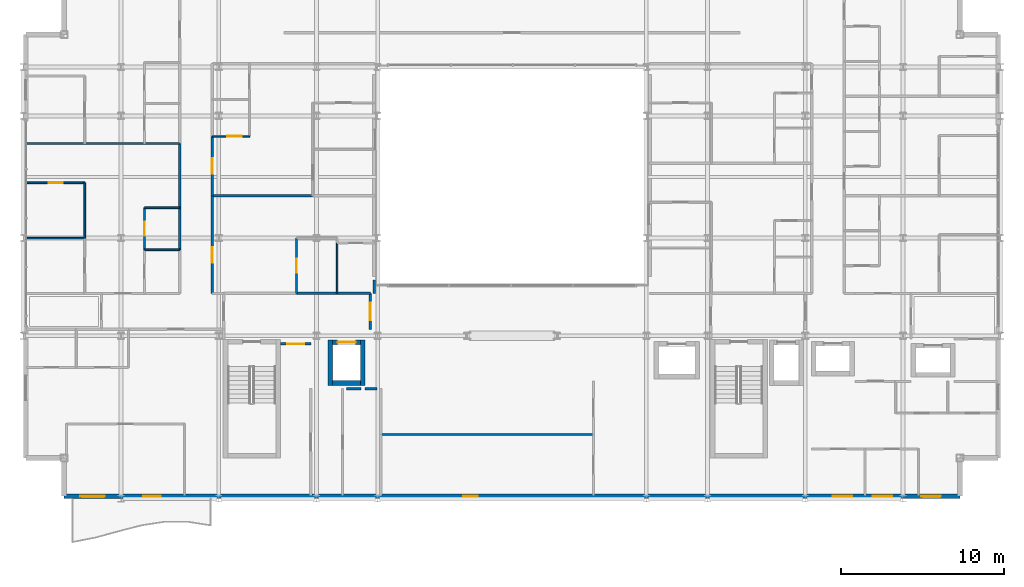
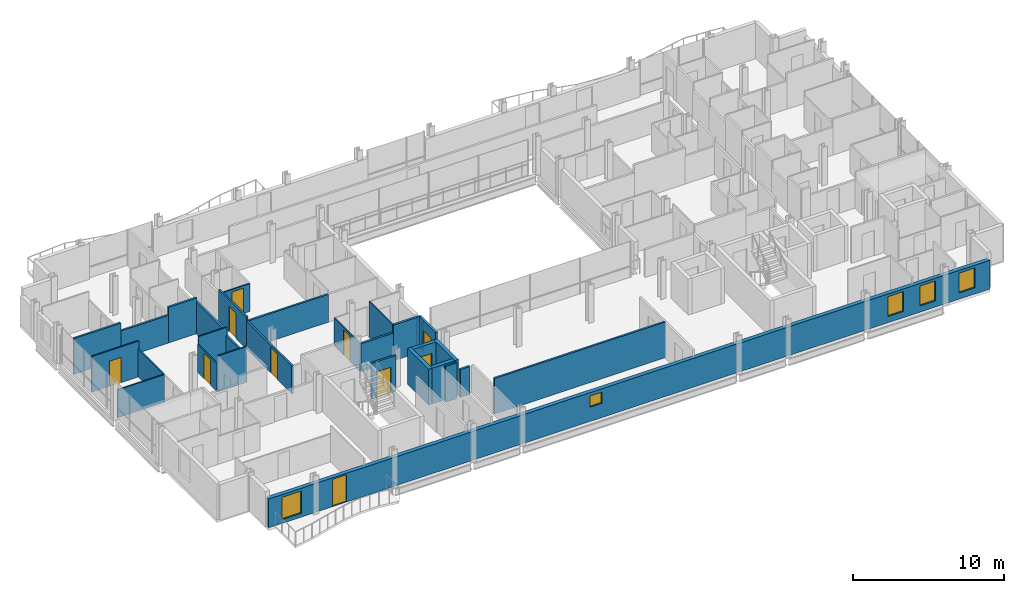
# One storey, part 32 of 40: 30 walls, 10 doors, 5 windows, 15 openings.
"""IFC4 building model written with IfcOpenShell, lengths in metres."""

from ifc_helpers import new_model, si_unit, direction, frame, frame_2d, origin, place, context, subcontext, project, spatial, rectangle, extrude, material, layer, layer_set, type_object, element, fill, save


model = new_model("IFC4")

# Units and contexts
model_context = context("Model", 3, precision=1e-05, world=origin(), true_north=direction((0.0, 1.0)))
body_context = subcontext(model_context, "Body", "Model", "MODEL_VIEW")
ifc_project = project(units=[si_unit("LENGTHUNIT", "METRE"), si_unit("AREAUNIT", "SQUARE_METRE"), si_unit("VOLUMEUNIT", "CUBIC_METRE"), si_unit("PLANEANGLEUNIT", "RADIAN"), si_unit("MASSUNIT", "GRAM", prefix="KILO")], contexts=[model_context])

# Site, building, storey
site_placement = place(None, origin())
site = spatial("IfcSite", under=ifc_project, at=site_placement, CompositionType="ELEMENT")
building_placement = place(site_placement, origin())
building = spatial("IfcBuilding", under=site, at=building_placement, Name="Brevholm Reach", CompositionType="ELEMENT")
storey_placement = place(building_placement, frame((0.0, 0.0, 125.199951171875)))
storey = spatial("IfcBuildingStorey", under=building, at=storey_placement, Name="L37", CompositionType="ELEMENT", Elevation=125.199951171875)

# Walls
ifc_material_1 = material(Name="Concrete C50/60", Category="concrete")
ifc_layer_1 = layer(ifc_material_1, 0.280029296875)
ifc_layer_set_1 = layer_set([ifc_layer_1], Name="Concrete C50/60")
wall_type_1 = type_object("IfcWallType", Name="WAL-COR-280", PredefinedType="SHEAR", material=ifc_layer_set_1)
for number, where, z_axis, x_axis, name in (
    (1, (18.85009765625, 6.9599609375, 0.0), (0.0, 0.0, 1.0), (0.0, 1.0, 0.0), "L37 Lift FFL-1 Shaft Wall W"),
    (2, (20.85009765625, 6.9599609375, 0.0), (0.0, 0.0, 1.0), (0.0, 1.0, 0.0), "L37 Lift FFL-1 Shaft Wall E"),
):
    element("IfcWall", number, at=place(storey_placement, frame(where, z_axis=z_axis, x_axis=x_axis)), inside=storey, type_object=wall_type_1, Name=name, PredefinedType="SHEAR", context=body_context, shape_type="SweptSolid", body=[
        extrude(rectangle(XDim=2.780029296875, YDim=0.280029296875, at=frame_2d((1.39013671875, 0.0))), origin(), (0.0, 0.0, 1.0), 2.880126953125),
    ])
wall_1_placement = place(storey_placement, frame((18.989990234375, 7.10009765625, 0.0), z_axis=(0.0, 0.0, 1.0), x_axis=(1.0, 0.0, 0.0)))
element("IfcWall", 3, at=wall_1_placement, inside=storey, type_object=wall_type_1, Name="L37 Lift FFL-1 Shaft Wall S", PredefinedType="SHEAR", context=body_context, shape_type="SweptSolid", body=[
    extrude(rectangle(XDim=1.719970703125, YDim=0.280029296875, at=frame_2d((0.85986328125, 0.0))), origin(), (0.0, 0.0, 1.0), 2.880126953125),
])

# Wall, opening, door
wall_2_placement = place(storey_placement, frame((18.989990234375, 9.60009765625, 0.0), z_axis=(0.0, 0.0, 1.0), x_axis=(1.0, 0.0, 0.0)))
wall_2 = element("IfcWall", 4, at=wall_2_placement, inside=storey, type_object=wall_type_1, Name="L37 Lift FFL-1 Shaft Wall N", PredefinedType="SHEAR", context=body_context, shape_type="SweptSolid", body=[
    extrude(rectangle(XDim=1.719970703125, YDim=0.280029296875, at=frame_2d((0.85986328125, 0.0))), origin(), (0.0, 0.0, 1.0), 2.880126953125),
])
opening_1_placement = place(wall_2_placement, frame((0.31005859375, 0.0, 0.0)))
opening_1 = element("IfcOpeningElement", 5, at=opening_1_placement, cuts=wall_2, Name="Opening LD-FFL-1", PredefinedType="OPENING", context=body_context, shape_type="SweptSolid", body=[
    extrude(rectangle(XDim=1.10009765625, YDim=2.06005859375, at=frame_2d((0.550048828125, 1.030029296875))), frame((0.0, 0.14990234375, 0.0), z_axis=(0.0, -1.0, 0.0), x_axis=(1.0, 0.0, 0.0)), (0.0, 0.0, 1.0), 0.300048828125),
])
ifc_material_2 = material(Name="Brushed Stainless Steel Fire-Rated Sliding Lift Door", Category="steel")
door_type_1 = type_object("IfcDoorType", Name="DOR-LFT-1100", OperationType="NOTDEFINED", PredefinedType="DOOR", material=ifc_material_2)
door_1_placement = place(opening_1_placement, origin())
door_1 = element("IfcDoor", 6, at=door_1_placement, inside=storey, type_object=door_type_1, Name="L37 Lift FFL-1 Sliding Landing Door", OperationType="SLIDING_TO_LEFT", OverallHeight=2.06005859375, OverallWidth=1.10009765625, PredefinedType="DOOR", context=body_context, shape_type="SweptSolid", body=[
    extrude(rectangle(XDim=1.10009765625, YDim=2.06005859375, at=frame_2d((0.550048828125, 1.030029296875))), frame((0.0, 0.02490234375, 0.0), z_axis=(0.0, -1.0, 0.0), x_axis=(1.0, 0.0, 0.0)), (0.0, 0.0, 1.0), 0.050048828125),
])
fill(opening_1, door_1)

# Wall, openings, door, windows
ifc_material_3 = material(Name="Concrete C40/50", Category="concrete")
ifc_layer_2 = layer(ifc_material_3, 0.300048828125)
ifc_layer_set_2 = layer_set([ifc_layer_2], Name="Concrete C40/50")
wall_type_2 = type_object("IfcWallType", Name="WAL-EXT-300", PredefinedType="STANDARD", material=ifc_layer_set_2)
wall_3_placement = place(storey_placement, frame((2.5, 0.14990234375, 0.0), z_axis=(0.0, 0.0, 1.0), x_axis=(1.0, 0.0, 0.0)))
wall_3 = element("IfcWall", 7, at=wall_3_placement, inside=storey, type_object=wall_type_2, Name="L37 Facade Wall WAL-L37-S", PredefinedType="STANDARD", context=body_context, shape_type="SweptSolid", body=[
    extrude(rectangle(XDim=55.0, YDim=0.300048828125, at=frame_2d((27.5, 0.0))), origin(), (0.0, 0.0, 1.0), 2.322021484375),
])
opening_2_placement = place(wall_3_placement, frame((4.85009765625, 0.0, 0.0)))
opening_2 = element("IfcOpeningElement", 8, at=opening_2_placement, cuts=wall_3, Name="Opening BD-01", PredefinedType="OPENING", context=body_context, shape_type="SweptSolid", body=[
    extrude(rectangle(XDim=1.10009765625, YDim=2.199951171875, at=frame_2d((0.550048828125, 1.10009765625))), frame((0.0, 0.159912109375, 0.0), z_axis=(0.0, -1.0, 0.0), x_axis=(1.0, 0.0, 0.0)), (0.0, 0.0, 1.0), 0.320068359375),
])
opening_3_placement = place(wall_3_placement, frame((1.0, 0.0, 0.302001953125)))
opening_3 = element("IfcOpeningElement", 9, at=opening_3_placement, cuts=wall_3, Name="Opening WN-05", PredefinedType="OPENING", context=body_context, shape_type="SweptSolid", body=[
    extrude(rectangle(XDim=1.5, YDim=1.800048828125, at=frame_2d((0.75, 0.89990234375))), frame((0.0, 0.159912109375, 0.0), z_axis=(0.0, -1.0, 0.0), x_axis=(1.0, 0.0, 0.0)), (0.0, 0.0, 1.0), 0.320068359375),
])
opening_4_placement = place(wall_3_placement, frame((24.5, 0.0, 1.14990234375)))
opening_4 = element("IfcOpeningElement", 10, at=opening_4_placement, cuts=wall_3, Name="Opening WN-09", PredefinedType="OPENING", context=body_context, shape_type="SweptSolid", body=[
    extrude(rectangle(XDim=0.89990234375, YDim=0.89990234375, at=frame_2d((0.449951171875, 0.449951171875))), frame((0.0, 0.159912109375, 0.0), z_axis=(0.0, -1.0, 0.0), x_axis=(1.0, 0.0, 0.0)), (0.0, 0.0, 1.0), 0.320068359375),
])
opening_5_placement = place(wall_3_placement, frame((47.199951171875, 0.0, 0.501953125)))
opening_5 = element("IfcOpeningElement", 11, at=opening_5_placement, cuts=wall_3, Name="Opening WN-08", PredefinedType="OPENING", context=body_context, shape_type="SweptSolid", body=[
    extrude(rectangle(XDim=1.199951171875, YDim=1.60009765625, at=frame_2d((0.60009765625, 0.800048828125))), frame((0.0, 0.159912109375, 0.0), z_axis=(0.0, -1.0, 0.0), x_axis=(1.0, 0.0, 0.0)), (0.0, 0.0, 1.0), 0.320068359375),
])
opening_6_placement = place(wall_3_placement, frame((52.6298828125, 0.0, 0.501953125)))
opening_6 = element("IfcOpeningElement", 12, at=opening_6_placement, cuts=wall_3, Name="Opening WN-08", PredefinedType="OPENING", context=body_context, shape_type="SweptSolid", body=[
    extrude(rectangle(XDim=1.199951171875, YDim=1.60009765625, at=frame_2d((0.60009765625, 0.800048828125))), frame((0.0, 0.159912109375, 0.0), z_axis=(0.0, -1.0, 0.0), x_axis=(1.0, 0.0, 0.0)), (0.0, 0.0, 1.0), 0.320068359375),
])
opening_7_placement = place(wall_3_placement, frame((49.643310546875, 0.0, 0.501953125)))
opening_7 = element("IfcOpeningElement", 13, at=opening_7_placement, cuts=wall_3, Name="Opening WN-08", PredefinedType="OPENING", context=body_context, shape_type="SweptSolid", body=[
    extrude(rectangle(XDim=1.199951171875, YDim=1.60009765625, at=frame_2d((0.60009765625, 0.800048828125))), frame((0.0, 0.159912109375, 0.0), z_axis=(0.0, -1.0, 0.0), x_axis=(1.0, 0.0, 0.0)), (0.0, 0.0, 1.0), 0.320068359375),
])
ifc_material_4 = material(Name="Dark Anodised Aluminium and Triple-Glazed Glass", Category="aluminium")
door_type_2 = type_object("IfcDoorType", Name="DOR-BALC-1100", OperationType="NOTDEFINED", PredefinedType="DOOR", material=ifc_material_4)
door_2_placement = place(opening_2_placement, origin())
door_2 = element("IfcDoor", 14, at=door_2_placement, inside=storey, type_object=door_type_2, Name="L37 Exterior Door DOR-L37-BL-SW", OperationType="SINGLE_SWING_LEFT", OverallHeight=2.199951171875, OverallWidth=1.10009765625, PredefinedType="DOOR", context=body_context, shape_type="SweptSolid", body=[
    extrude(rectangle(XDim=1.10009765625, YDim=2.199951171875, at=frame_2d((0.550048828125, 1.10009765625))), frame((0.0, 0.02490234375, 0.0), z_axis=(0.0, -1.0, 0.0), x_axis=(1.0, 0.0, 0.0)), (0.0, 0.0, 1.0), 0.050048828125),
])
fill(opening_2, door_2)
ifc_material_5 = material(Name="Dark Anodised Aluminium and Solar-Control IGU Glass", Category="aluminium")
window_type_1 = type_object("IfcWindowType", Name="WIN-POR-0900", PartitioningType="SINGLE_PANEL", PredefinedType="WINDOW", material=ifc_material_5)
window_1_placement = place(opening_4_placement, origin())
window_1 = element("IfcWindow", 15, at=window_1_placement, inside=storey, type_object=window_type_1, Name="L37 Window WIN-L37-S-POR", OverallHeight=0.89990234375, OverallWidth=0.89990234375, PartitioningType="SINGLE_PANEL", PredefinedType="WINDOW", context=body_context, shape_type="SweptSolid", body=[
    extrude(rectangle(XDim=0.89990234375, YDim=0.89990234375, at=frame_2d((0.449951171875, 0.449951171875))), frame((0.0, 0.030029296875, 0.0), z_axis=(0.0, -1.0, 0.0), x_axis=(1.0, 0.0, 0.0)), (0.0, 0.0, 1.0), 0.06005859375),
])
fill(opening_4, window_1)
ifc_material_6 = material(Name="Dark Anodised Aluminium and Solar-Control IGU Glass", Category="aluminium")
window_type_2 = type_object("IfcWindowType", Name="WIN-RES-1200", PartitioningType="SINGLE_PANEL", PredefinedType="WINDOW", material=ifc_material_6)
window_2_placement = place(opening_5_placement, origin())
window_2 = element("IfcWindow", 16, at=window_2_placement, inside=storey, type_object=window_type_2, Name="L37 Window WIN-L37-S-E1", OverallHeight=1.60009765625, OverallWidth=1.199951171875, PartitioningType="SINGLE_PANEL", PredefinedType="WINDOW", context=body_context, shape_type="SweptSolid", body=[
    extrude(rectangle(XDim=1.199951171875, YDim=1.60009765625, at=frame_2d((0.60009765625, 0.800048828125))), frame((0.0, 0.030029296875, 0.0), z_axis=(0.0, -1.0, 0.0), x_axis=(1.0, 0.0, 0.0)), (0.0, 0.0, 1.0), 0.06005859375),
])
fill(opening_5, window_2)
window_3_placement = place(opening_6_placement, origin())
window_3 = element("IfcWindow", 17, at=window_3_placement, inside=storey, type_object=window_type_2, Name="L37 Window WIN-L37-S-E2", OverallHeight=1.60009765625, OverallWidth=1.199951171875, PartitioningType="SINGLE_PANEL", PredefinedType="WINDOW", context=body_context, shape_type="SweptSolid", body=[
    extrude(rectangle(XDim=1.199951171875, YDim=1.60009765625, at=frame_2d((0.60009765625, 0.800048828125))), frame((0.0, 0.030029296875, 0.0), z_axis=(0.0, -1.0, 0.0), x_axis=(1.0, 0.0, 0.0)), (0.0, 0.0, 1.0), 0.06005859375),
])
fill(opening_6, window_3)
window_4_placement = place(opening_7_placement, origin())
window_4 = element("IfcWindow", 18, at=window_4_placement, inside=storey, type_object=window_type_2, Name="L37 Bedroom Window 042", OverallHeight=1.60009765625, OverallWidth=1.199951171875, PartitioningType="SINGLE_PANEL", PredefinedType="WINDOW", context=body_context, shape_type="SweptSolid", body=[
    extrude(rectangle(XDim=1.199951171875, YDim=1.60009765625, at=frame_2d((0.60009765625, 0.800048828125))), frame((0.0, 0.030029296875, 0.0), z_axis=(0.0, -1.0, 0.0), x_axis=(1.0, 0.0, 0.0)), (0.0, 0.0, 1.0), 0.06005859375),
])
fill(opening_7, window_4)
ifc_material_7 = material(Name="Dark Anodised Aluminium and Solar-Control IGU Glass", Category="aluminium")
window_type_3 = type_object("IfcWindowType", Name="WIN-RES-1500", PartitioningType="SINGLE_PANEL", PredefinedType="WINDOW", material=ifc_material_7)
window_5_placement = place(opening_3_placement, origin())
window_5 = element("IfcWindow", 19, at=window_5_placement, inside=storey, type_object=window_type_3, Name="L37 Window WIN-L37-S-W1", OverallHeight=1.800048828125, OverallWidth=1.5, PartitioningType="SINGLE_PANEL", PredefinedType="WINDOW", context=body_context, shape_type="SweptSolid", body=[
    extrude(rectangle(XDim=1.5, YDim=1.800048828125, at=frame_2d((0.75, 0.89990234375))), frame((0.0, 0.030029296875, 0.0), z_axis=(0.0, -1.0, 0.0), x_axis=(1.0, 0.0, 0.0)), (0.0, 0.0, 1.0), 0.06005859375),
])
fill(opening_3, window_5)

# Walls
ifc_material_8 = material(Name="Moisture-Resistant Acoustic Gypsum Stud Partition 100 mm", Category="gypsum")
ifc_layer_3 = layer(ifc_material_8, 0.10009765625)
ifc_layer_set_3 = layer_set([ifc_layer_3], Name="Moisture-Resistant Acoustic Gypsum Stud Partition 100 mm")
wall_type_3 = type_object("IfcWallType", Name="WAL-PRT-100", PredefinedType="PARTITIONING", material=ifc_layer_set_3)
for number, where, z_axis, x_axis, name in (
    (20, (7.43798828125, 15.283935546875, 0.0), (0.0, 0.0, 1.0), (1.0, 0.0, 0.0), "L37 Internal Partition 084"),
    (21, (7.43798828125, 17.860107421875, 0.0), (0.0, 0.0, 1.0), (1.0, 0.0, 0.0), "L37 Internal Partition 086"),
):
    element("IfcWall", number, at=place(storey_placement, frame(where, z_axis=z_axis, x_axis=x_axis)), inside=storey, type_object=wall_type_3, Name=name, PredefinedType="PARTITIONING", context=body_context, shape_type="SweptSolid", body=[
        extrude(rectangle(XDim=2.157958984375, YDim=0.10009765625, at=frame_2d((1.0791015625, 0.0))), origin(), (0.0, 0.0, 1.0), 2.880126953125),
    ])

# Wall, opening, door
wall_4_placement = place(storey_placement, frame((7.43798828125, 15.2880859375, 0.0), z_axis=(0.0, 0.0, 1.0), x_axis=(0.0, 1.0, 0.0)))
wall_4 = element("IfcWall", 22, at=wall_4_placement, inside=storey, type_object=wall_type_3, Name="L37 Internal Partition 087", PredefinedType="PARTITIONING", context=body_context, shape_type="SweptSolid", body=[
    extrude(rectangle(XDim=2.572021484375, YDim=0.10009765625, at=frame_2d((1.2861328125, 0.0))), origin(), (0.0, 0.0, 1.0), 2.242919921875),
])
opening_8_placement = place(wall_4_placement, frame((0.845947265625, 0.0, 0.0)))
opening_8 = element("IfcOpeningElement", 23, at=opening_8_placement, cuts=wall_4, Name="Opening ID-01", PredefinedType="OPENING", context=body_context, shape_type="SweptSolid", body=[
    extrude(rectangle(XDim=0.8798828125, YDim=2.0400390625, at=frame_2d((0.43994140625, 1.02001953125))), frame((0.0, 0.06005859375, 0.0), z_axis=(0.0, -1.0, 0.0), x_axis=(1.0, 0.0, 0.0)), (0.0, 0.0, 1.0), 0.1201171875),
])
ifc_material_9 = material(Name="Lacquered Ash Solid-Core Acoustic Internal Door", Category="timber")
door_type_3 = type_object("IfcDoorType", Name="DOR-INT-880", OperationType="NOTDEFINED", PredefinedType="DOOR", material=ifc_material_9)
door_3_placement = place(opening_8_placement, origin())
door_3 = element("IfcDoor", 24, at=door_3_placement, inside=storey, type_object=door_type_3, Name="L37 Internal Door 031", OperationType="SINGLE_SWING_LEFT", OverallHeight=2.0400390625, OverallWidth=0.8798828125, PredefinedType="DOOR", context=body_context, shape_type="SweptSolid", body=[
    extrude(rectangle(XDim=0.8798828125, YDim=2.0400390625, at=frame_2d((0.43994140625, 1.02001953125))), frame((0.0, 0.02490234375, 0.0), z_axis=(0.0, -1.0, 0.0), x_axis=(1.0, 0.0, 0.0)), (0.0, 0.0, 1.0), 0.050048828125),
])
fill(opening_8, door_3)

# Walls
wall_5_placement = place(storey_placement, frame((0.199951171875, 16.0, 0.0), z_axis=(0.0, 0.0, 1.0), x_axis=(1.0, 0.0, 0.0)))
element("IfcWall", 25, at=wall_5_placement, inside=storey, type_object=wall_type_3, Name="L37 Internal Partition 088", PredefinedType="PARTITIONING", context=body_context, shape_type="SweptSolid", body=[
    extrude(rectangle(XDim=3.572021484375, YDim=0.10009765625, at=frame_2d((1.7861328125, 0.0))), origin(), (0.0, 0.0, 1.0), 2.242919921875),
])
wall_6_placement = place(storey_placement, frame((3.77197265625, 16.00390625, 0.0), z_axis=(0.0, 0.0, 1.0), x_axis=(0.0, 1.0, 0.0)))
element("IfcWall", 26, at=wall_6_placement, inside=storey, type_object=wall_type_3, Name="L37 Internal Partition 090", PredefinedType="PARTITIONING", context=body_context, shape_type="SweptSolid", body=[
    extrude(rectangle(XDim=3.39599609375, YDim=0.10009765625, at=frame_2d((1.697998046875, 0.0))), origin(), (0.0, 0.0, 1.0), 2.242919921875),
])

# Wall, opening, door
wall_7_placement = place(storey_placement, frame((0.199951171875, 19.39990234375, 0.0), z_axis=(0.0, 0.0, 1.0), x_axis=(1.0, 0.0, 0.0)))
wall_7 = element("IfcWall", 27, at=wall_7_placement, inside=storey, type_object=wall_type_3, Name="L37 Internal Partition 091", PredefinedType="PARTITIONING", context=body_context, shape_type="SweptSolid", body=[
    extrude(rectangle(XDim=3.572021484375, YDim=0.10009765625, at=frame_2d((1.7861328125, 0.0))), origin(), (0.0, 0.0, 1.0), 2.880126953125),
])
opening_9_placement = place(wall_7_placement, frame((1.345947265625, 0.0, 0.0)))
opening_9 = element("IfcOpeningElement", 28, at=opening_9_placement, cuts=wall_7, Name="Opening ID-01", PredefinedType="OPENING", context=body_context, shape_type="SweptSolid", body=[
    extrude(rectangle(XDim=0.8798828125, YDim=2.0400390625, at=frame_2d((0.43994140625, 1.02001953125))), frame((0.0, 0.06005859375, 0.0), z_axis=(0.0, -1.0, 0.0), x_axis=(1.0, 0.0, 0.0)), (0.0, 0.0, 1.0), 0.1201171875),
])
door_4_placement = place(opening_9_placement, origin())
door_4 = element("IfcDoor", 29, at=door_4_placement, inside=storey, type_object=door_type_3, Name="L37 Internal Door 033", OperationType="SINGLE_SWING_LEFT", OverallHeight=2.0400390625, OverallWidth=0.8798828125, PredefinedType="DOOR", context=body_context, shape_type="SweptSolid", body=[
    extrude(rectangle(XDim=0.8798828125, YDim=2.0400390625, at=frame_2d((0.43994140625, 1.02001953125))), frame((0.0, 0.02490234375, 0.0), z_axis=(0.0, -1.0, 0.0), x_axis=(1.0, 0.0, 0.0)), (0.0, 0.0, 1.0), 0.050048828125),
])
fill(opening_9, door_4)

# Wall
wall_8_placement = place(storey_placement, frame((19.260986328125, 12.60400390625, 0.0), z_axis=(0.0, 0.0, 1.0), x_axis=(0.0, 1.0, 0.0)))
element("IfcWall", 30, at=wall_8_placement, inside=storey, type_object=wall_type_3, Name="L37 Internal Partition 101", PredefinedType="PARTITIONING", context=body_context, shape_type="SweptSolid", body=[
    extrude(rectangle(XDim=3.095947265625, YDim=0.10009765625, at=frame_2d((1.5478515625, 0.0))), origin(), (0.0, 0.0, 1.0), 2.880126953125),
])

# Wall, opening, door
wall_9_placement = place(storey_placement, frame((16.77294921875, 12.60400390625, 0.0), z_axis=(0.0, 0.0, 1.0), x_axis=(0.0, 1.0, 0.0)))
wall_9 = element("IfcWall", 31, at=wall_9_placement, inside=storey, type_object=wall_type_3, Name="L37 Internal Partition 105", PredefinedType="PARTITIONING", context=body_context, shape_type="SweptSolid", body=[
    extrude(rectangle(XDim=3.39599609375, YDim=0.10009765625, at=frame_2d((1.697998046875, 0.0))), origin(), (0.0, 0.0, 1.0), 2.242919921875),
])
opening_10_placement = place(wall_9_placement, frame((1.258056640625, 0.0, 0.0)))
opening_10 = element("IfcOpeningElement", 32, at=opening_10_placement, cuts=wall_9, Name="Opening ID-01", PredefinedType="OPENING", context=body_context, shape_type="SweptSolid", body=[
    extrude(rectangle(XDim=0.8798828125, YDim=2.0400390625, at=frame_2d((0.43994140625, 1.02001953125))), frame((0.0, 0.06005859375, 0.0), z_axis=(0.0, -1.0, 0.0), x_axis=(1.0, 0.0, 0.0)), (0.0, 0.0, 1.0), 0.1201171875),
])
door_5_placement = place(opening_10_placement, origin())
door_5 = element("IfcDoor", 33, at=door_5_placement, inside=storey, type_object=door_type_3, Name="L37 Internal Door 038", OperationType="SINGLE_SWING_RIGHT", OverallHeight=2.0400390625, OverallWidth=0.8798828125, PredefinedType="DOOR", context=body_context, shape_type="SweptSolid", body=[
    extrude(rectangle(XDim=0.8798828125, YDim=2.0400390625, at=frame_2d((0.43994140625, 1.02001953125))), frame((0.0, 0.02490234375, 0.0), z_axis=(0.0, -1.0, 0.0), x_axis=(1.0, 0.0, 0.0)), (0.0, 0.0, 1.0), 0.050048828125),
])
fill(opening_10, door_5)

wall_10_placement = place(storey_placement, frame((11.60400390625, 22.2451171875, 0.0), z_axis=(0.0, 0.0, 1.0), x_axis=(1.0, 0.0, 0.0)))
wall_10 = element("IfcWall", 34, at=wall_10_placement, inside=storey, type_object=wall_type_3, Name="L37 Internal Partition 110", PredefinedType="PARTITIONING", context=body_context, shape_type="SweptSolid", body=[
    extrude(rectangle(XDim=2.284912109375, YDim=0.10009765625, at=frame_2d((1.142578125, 0.0))), origin(), (0.0, 0.0, 1.0), 2.242919921875),
])
opening_11_placement = place(wall_10_placement, frame((0.922607421875, 0.0, 0.0)))
opening_11 = element("IfcOpeningElement", 35, at=opening_11_placement, cuts=wall_10, Name="Opening ID-01", PredefinedType="OPENING", context=body_context, shape_type="SweptSolid", body=[
    extrude(rectangle(XDim=0.8798828125, YDim=2.0400390625, at=frame_2d((0.43994140625, 1.02001953125))), frame((0.0, 0.06005859375, 0.0), z_axis=(0.0, -1.0, 0.0), x_axis=(1.0, 0.0, 0.0)), (0.0, 0.0, 1.0), 0.1201171875),
])
door_6_placement = place(opening_11_placement, origin())
door_6 = element("IfcDoor", 36, at=door_6_placement, inside=storey, type_object=door_type_3, Name="L37 Internal Door 040", OperationType="SINGLE_SWING_RIGHT", OverallHeight=2.0400390625, OverallWidth=0.8798828125, PredefinedType="DOOR", context=body_context, shape_type="SweptSolid", body=[
    extrude(rectangle(XDim=0.8798828125, YDim=2.0400390625, at=frame_2d((0.43994140625, 1.02001953125))), frame((0.0, 0.02490234375, 0.0), z_axis=(0.0, -1.0, 0.0), x_axis=(1.0, 0.0, 0.0)), (0.0, 0.0, 1.0), 0.050048828125),
])
fill(opening_11, door_6)

# Walls
ifc_material_10 = material(Name="Twin-Stud Acoustic Fire-Rated Gypsum Partition 140 mm", Category="gypsum")
ifc_layer_4 = layer(ifc_material_10, 0.139892578125)
ifc_layer_set_4 = layer_set([ifc_layer_4], Name="Twin-Stud Acoustic Fire-Rated Gypsum Partition 140 mm")
wall_type_4 = type_object("IfcWallType", Name="WAL-PRT-140", PredefinedType="PARTITIONING", material=ifc_layer_set_4)
wall_11_placement = place(storey_placement, frame((21.949951171875, 3.93994140625, 0.0), z_axis=(0.0, 0.0, 1.0), x_axis=(1.0, 0.0, 0.0)))
element("IfcWall", 37, at=wall_11_placement, inside=storey, type_object=wall_type_4, Name="L37 Internal Partition 003", PredefinedType="PARTITIONING", context=body_context, shape_type="SweptSolid", body=[
    extrude(rectangle(XDim=13.046142578125, YDim=0.139892578125, at=frame_2d((6.52294921875, 0.0))), origin(), (0.0, 0.0, 1.0), 2.880126953125),
])
wall_12_placement = place(storey_placement, frame((9.60009765625, 15.276611328125, 0.0), z_axis=(0.0, 0.0, 1.0), x_axis=(0.0, 1.0, 0.0)))
element("IfcWall", 38, at=wall_12_placement, inside=storey, type_object=wall_type_4, Name="L37 Internal Partition 033", PredefinedType="PARTITIONING", context=body_context, shape_type="SweptSolid", body=[
    extrude(rectangle(XDim=2.5947265625, YDim=0.139892578125, at=frame_2d((1.29736328125, 0.0))), origin(), (0.0, 0.0, 1.0), 2.242919921875),
])
wall_13_placement = place(storey_placement, frame((9.60009765625, 17.852783203125, 0.0), z_axis=(0.0, 0.0, 1.0), x_axis=(0.0, 1.0, 0.0)))
element("IfcWall", 39, at=wall_13_placement, inside=storey, type_object=wall_type_4, Name="L37 Internal Partition 034", PredefinedType="PARTITIONING", context=body_context, shape_type="SweptSolid", body=[
    extrude(rectangle(XDim=3.95849609375, YDim=0.139892578125, at=frame_2d((1.979248046875, 0.0))), origin(), (0.0, 0.0, 1.0), 2.5517578125),
])

# Wall, opening, door
wall_14_placement = place(storey_placement, frame((11.60009765625, 12.60400390625, 0.0), z_axis=(0.0, 0.0, 1.0), x_axis=(0.0, 1.0, 0.0)))
wall_14 = element("IfcWall", 40, at=wall_14_placement, inside=storey, type_object=wall_type_4, Name="L37 Internal Partition 038", PredefinedType="PARTITIONING", context=body_context, shape_type="SweptSolid", body=[
    extrude(rectangle(XDim=6.00732421875, YDim=0.139892578125, at=frame_2d((3.003662109375, 0.0))), origin(), (0.0, 0.0, 1.0), 2.242919921875),
])
opening_12_placement = place(wall_14_placement, frame((1.86865234375, 0.0, 0.0)))
opening_12 = element("IfcOpeningElement", 41, at=opening_12_placement, cuts=wall_14, Name="Opening ID-30", PredefinedType="OPENING", context=body_context, shape_type="SweptSolid", body=[
    extrude(rectangle(XDim=0.949951171875, YDim=2.050048828125, at=frame_2d((0.47509765625, 1.02490234375))), frame((0.0, 0.079833984375, 0.0), z_axis=(0.0, -1.0, 0.0), x_axis=(1.0, 0.0, 0.0)), (0.0, 0.0, 1.0), 0.159912109375),
])
ifc_material_11 = material(Name="European Oak Veneered Solid-Core Fire Entrance Door", Category="timber")
door_type_4 = type_object("IfcDoorType", Name="DOR-FLT-FD30S", OperationType="NOTDEFINED", PredefinedType="DOOR", material=ifc_material_11)
door_7_placement = place(opening_12_placement, origin())
door_7 = element("IfcDoor", 42, at=door_7_placement, inside=storey, type_object=door_type_4, Name="L37 Internal Door 016", OperationType="SINGLE_SWING_RIGHT", OverallHeight=2.050048828125, OverallWidth=0.949951171875, PredefinedType="DOOR", context=body_context, shape_type="SweptSolid", body=[
    extrude(rectangle(XDim=0.949951171875, YDim=2.050048828125, at=frame_2d((0.47509765625, 1.02490234375))), frame((0.0, 0.02490234375, 0.0), z_axis=(0.0, -1.0, 0.0), x_axis=(1.0, 0.0, 0.0)), (0.0, 0.0, 1.0), 0.050048828125),
])
fill(opening_12, door_7)

wall_15_placement = place(storey_placement, frame((11.60009765625, 18.5927734375, 0.0), z_axis=(0.0, 0.0, 1.0), x_axis=(0.0, 1.0, 0.0)))
wall_15 = element("IfcWall", 43, at=wall_15_placement, inside=storey, type_object=wall_type_4, Name="L37 Internal Partition 041", PredefinedType="PARTITIONING", context=body_context, shape_type="SweptSolid", body=[
    extrude(rectangle(XDim=3.659423828125, YDim=0.139892578125, at=frame_2d((1.82958984375, 0.0))), origin(), (0.0, 0.0, 1.0), 2.5517578125),
])
opening_13_placement = place(wall_15_placement, frame((1.354736328125, 0.0, 0.0)))
opening_13 = element("IfcOpeningElement", 44, at=opening_13_placement, cuts=wall_15, Name="Opening ID-30", PredefinedType="OPENING", context=body_context, shape_type="SweptSolid", body=[
    extrude(rectangle(XDim=0.949951171875, YDim=2.050048828125, at=frame_2d((0.47509765625, 1.02490234375))), frame((0.0, 0.079833984375, 0.0), z_axis=(0.0, -1.0, 0.0), x_axis=(1.0, 0.0, 0.0)), (0.0, 0.0, 1.0), 0.159912109375),
])
door_8_placement = place(opening_13_placement, origin())
door_8 = element("IfcDoor", 45, at=door_8_placement, inside=storey, type_object=door_type_4, Name="L37 Internal Door 017", OperationType="SINGLE_SWING_LEFT", OverallHeight=2.050048828125, OverallWidth=0.949951171875, PredefinedType="DOOR", context=body_context, shape_type="SweptSolid", body=[
    extrude(rectangle(XDim=0.949951171875, YDim=2.050048828125, at=frame_2d((0.47509765625, 1.02490234375))), frame((0.0, 0.02490234375, 0.0), z_axis=(0.0, -1.0, 0.0), x_axis=(1.0, 0.0, 0.0)), (0.0, 0.0, 1.0), 0.050048828125),
])
fill(opening_13, door_8)

# Walls
wall_16_placement = place(storey_placement, frame((7.4267578125, 21.800048828125, 0.0), z_axis=(0.0, 0.0, 1.0), x_axis=(1.0, 0.0, 0.0)))
element("IfcWall", 46, at=wall_16_placement, inside=storey, type_object=wall_type_4, Name="L37 Internal Partition 092", PredefinedType="PARTITIONING", context=body_context, shape_type="SweptSolid", body=[
    extrude(rectangle(XDim=2.169189453125, YDim=0.139892578125, at=frame_2d((1.08447265625, 0.0))), origin(), (0.0, 0.0, 1.0), 2.880126953125),
])
wall_17_placement = place(storey_placement, frame((0.199951171875, 21.800048828125, 0.0), z_axis=(0.0, 0.0, 1.0), x_axis=(1.0, 0.0, 0.0)))
element("IfcWall", 47, at=wall_17_placement, inside=storey, type_object=wall_type_4, Name="L37 Internal Partition 093", PredefinedType="PARTITIONING", context=body_context, shape_type="SweptSolid", body=[
    extrude(rectangle(XDim=3.583251953125, YDim=0.139892578125, at=frame_2d((1.79150390625, 0.0))), origin(), (0.0, 0.0, 1.0), 2.880126953125),
])
wall_18_placement = place(storey_placement, frame((3.7646484375, 21.800048828125, 0.0), z_axis=(0.0, 0.0, 1.0), x_axis=(1.0, 0.0, 0.0)))
element("IfcWall", 48, at=wall_18_placement, inside=storey, type_object=wall_type_4, Name="L37 Internal Partition 094", PredefinedType="PARTITIONING", context=body_context, shape_type="SweptSolid", body=[
    extrude(rectangle(XDim=3.6806640625, YDim=0.139892578125, at=frame_2d((1.84033203125, 0.0))), origin(), (0.0, 0.0, 1.0), 2.242919921875),
])
wall_19_placement = place(storey_placement, frame((11.60400390625, 18.60009765625, 0.0), z_axis=(0.0, 0.0, 1.0), x_axis=(1.0, 0.0, 0.0)))
element("IfcWall", 49, at=wall_19_placement, inside=storey, type_object=wall_type_4, Name="L37 Internal Partition 107", PredefinedType="PARTITIONING", context=body_context, shape_type="SweptSolid", body=[
    extrude(rectangle(XDim=6.17236328125, YDim=0.139892578125, at=frame_2d((3.086181640625, 0.0))), origin(), (0.0, 0.0, 1.0), 2.242919921875),
])
wall_20_placement = place(storey_placement, frame((20.9658203125, 6.75, 0.0), z_axis=(0.0, 0.0, 1.0), x_axis=(1.0, 0.0, 0.0)))
element("IfcWall", 50, at=wall_20_placement, inside=storey, type_object=wall_type_4, Name="L37 Internal Partition 157", PredefinedType="PARTITIONING", context=body_context, shape_type="SweptSolid", body=[
    extrude(rectangle(XDim=0.744140625, YDim=0.139892578125, at=frame_2d((0.3720703125, 0.0))), origin(), (0.0, 0.0, 1.0), 2.242919921875),
])
wall_21_placement = place(storey_placement, frame((19.840087890625, 6.75, 0.0), z_axis=(0.0, 0.0, 1.0), x_axis=(1.0, 0.0, 0.0)))
element("IfcWall", 51, at=wall_21_placement, inside=storey, type_object=wall_type_4, Name="L37 Internal Partition 158", PredefinedType="PARTITIONING", context=body_context, shape_type="SweptSolid", body=[
    extrude(rectangle(XDim=0.89404296875, YDim=0.139892578125, at=frame_2d((0.447021484375, 0.0))), origin(), (0.0, 0.0, 1.0), 2.880126953125),
])
wall_22_placement = place(storey_placement, frame((21.550048828125, 12.60400390625, 0.0), z_axis=(0.0, 0.0, 1.0), x_axis=(0.0, 1.0, 0.0)))
element("IfcWall", 52, at=wall_22_placement, inside=storey, type_object=wall_type_4, Name="L37 Internal Partition 159", PredefinedType="PARTITIONING", context=body_context, shape_type="SweptSolid", body=[
    extrude(rectangle(XDim=0.811279296875, YDim=0.139892578125, at=frame_2d((0.40576171875, 0.0))), origin(), (0.0, 0.0, 1.0), 2.242919921875),
])

# Wall, opening, door
ifc_material_12 = material(Name="Twin-Frame Fire-Rated Gypsum Board and Mineral Wool 160 mm", Category="gypsum")
ifc_layer_5 = layer(ifc_material_12, 0.159912109375)
ifc_layer_set_5 = layer_set([ifc_layer_5], Name="Twin-Frame Fire-Rated Gypsum Board and Mineral Wool 160 mm")
wall_type_5 = type_object("IfcWallType", Name="WAL-PRT-160", PredefinedType="PARTITIONING", material=ifc_layer_set_5)
wall_23_placement = place(storey_placement, frame((15.800048828125, 9.5, 0.0), z_axis=(0.0, 0.0, 1.0), x_axis=(1.0, 0.0, 0.0)))
wall_23 = element("IfcWall", 53, at=wall_23_placement, inside=storey, type_object=wall_type_5, Name="L37 Internal Partition 007", PredefinedType="PARTITIONING", context=body_context, shape_type="SweptSolid", body=[
    extrude(rectangle(XDim=1.849853515625, YDim=0.159912109375, at=frame_2d((0.9248046875, 0.0))), origin(), (0.0, 0.0, 1.0), 2.880126953125),
])
opening_14_placement = place(wall_23_placement, frame((0.39990234375, 0.0, 0.0)))
opening_14 = element("IfcOpeningElement", 54, at=opening_14_placement, cuts=wall_23, Name="Opening FD-01", PredefinedType="OPENING", context=body_context, shape_type="SweptSolid", body=[
    extrude(rectangle(XDim=1.050048828125, YDim=2.06005859375, at=frame_2d((0.52490234375, 1.030029296875))), frame((0.0, 0.08984375, 0.0), z_axis=(0.0, -1.0, 0.0), x_axis=(1.0, 0.0, 0.0)), (0.0, 0.0, 1.0), 0.179931640625),
])
ifc_material_13 = material(Name="Hardwood-Lipped Steel-Core Fire and Smoke Door", Category="steel")
door_type_5 = type_object("IfcDoorType", Name="DOR-INT-FD60S", OperationType="NOTDEFINED", PredefinedType="DOOR", material=ifc_material_13)
door_9_placement = place(opening_14_placement, origin())
door_9 = element("IfcDoor", 55, at=door_9_placement, inside=storey, type_object=door_type_5, Name="L37 Internal Door 004", OperationType="SINGLE_SWING_RIGHT", OverallHeight=2.06005859375, OverallWidth=1.050048828125, PredefinedType="DOOR", context=body_context, shape_type="SweptSolid", body=[
    extrude(rectangle(XDim=1.050048828125, YDim=2.06005859375, at=frame_2d((0.52490234375, 1.030029296875))), frame((0.0, 0.02490234375, 0.0), z_axis=(0.0, -1.0, 0.0), x_axis=(1.0, 0.0, 0.0)), (0.0, 0.0, 1.0), 0.050048828125),
])
fill(opening_14, door_9)

wall_24_placement = place(storey_placement, frame((21.300048828125, 10.388671875, 0.0), z_axis=(0.0, 0.0, 1.0), x_axis=(0.0, 1.0, 0.0)))
wall_24 = element("IfcWall", 56, at=wall_24_placement, inside=storey, type_object=wall_type_5, Name="L37 Internal Partition 014", PredefinedType="PARTITIONING", context=body_context, shape_type="SweptSolid", body=[
    extrude(rectangle(XDim=2.21142578125, YDim=0.159912109375, at=frame_2d((1.105712890625, 0.0))), origin(), (0.0, 0.0, 1.0), 2.880126953125),
])
opening_15_placement = place(wall_24_placement, frame((0.58056640625, 0.0, 0.0)))
opening_15 = element("IfcOpeningElement", 57, at=opening_15_placement, cuts=wall_24, Name="Opening FD-01", PredefinedType="OPENING", context=body_context, shape_type="SweptSolid", body=[
    extrude(rectangle(XDim=1.050048828125, YDim=2.06005859375, at=frame_2d((0.52490234375, 1.030029296875))), frame((0.0, 0.08984375, 0.0), z_axis=(0.0, -1.0, 0.0), x_axis=(1.0, 0.0, 0.0)), (0.0, 0.0, 1.0), 0.179931640625),
])
door_10_placement = place(opening_15_placement, origin())
door_10 = element("IfcDoor", 58, at=door_10_placement, inside=storey, type_object=door_type_5, Name="L37 Internal Door 009", OperationType="SINGLE_SWING_LEFT", OverallHeight=2.06005859375, OverallWidth=1.050048828125, PredefinedType="DOOR", context=body_context, shape_type="SweptSolid", body=[
    extrude(rectangle(XDim=1.050048828125, YDim=2.06005859375, at=frame_2d((0.52490234375, 1.030029296875))), frame((0.0, 0.02490234375, 0.0), z_axis=(0.0, -1.0, 0.0), x_axis=(1.0, 0.0, 0.0)), (0.0, 0.0, 1.0), 0.050048828125),
])
fill(opening_15, door_10)

# Walls
wall_25_placement = place(storey_placement, frame((19.249755859375, 12.60009765625, 0.0), z_axis=(0.0, 0.0, 1.0), x_axis=(1.0, 0.0, 0.0)))
element("IfcWall", 59, at=wall_25_placement, inside=storey, type_object=wall_type_5, Name="L37 Internal Partition 016", PredefinedType="PARTITIONING", context=body_context, shape_type="SweptSolid", body=[
    extrude(rectangle(XDim=2.05029296875, YDim=0.159912109375, at=frame_2d((1.025146484375, 0.0))), origin(), (0.0, 0.0, 1.0), 2.880126953125),
])
wall_26_placement = place(storey_placement, frame((16.76171875, 12.60009765625, 0.0), z_axis=(0.0, 0.0, 1.0), x_axis=(1.0, 0.0, 0.0)))
element("IfcWall", 60, at=wall_26_placement, inside=storey, type_object=wall_type_5, Name="L37 Internal Partition 017", PredefinedType="PARTITIONING", context=body_context, shape_type="SweptSolid", body=[
    extrude(rectangle(XDim=2.506591796875, YDim=0.159912109375, at=frame_2d((1.25341796875, 0.0))), origin(), (0.0, 0.0, 1.0), 2.242919921875),
])

save(model, "model.ifc")
